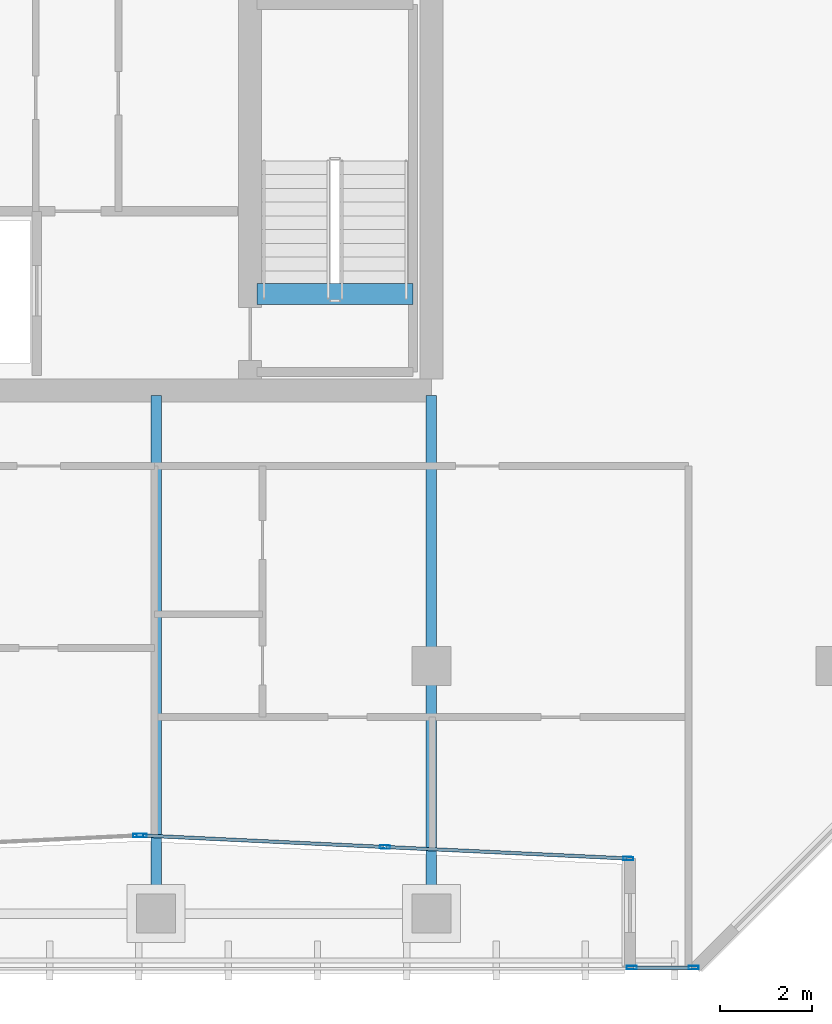
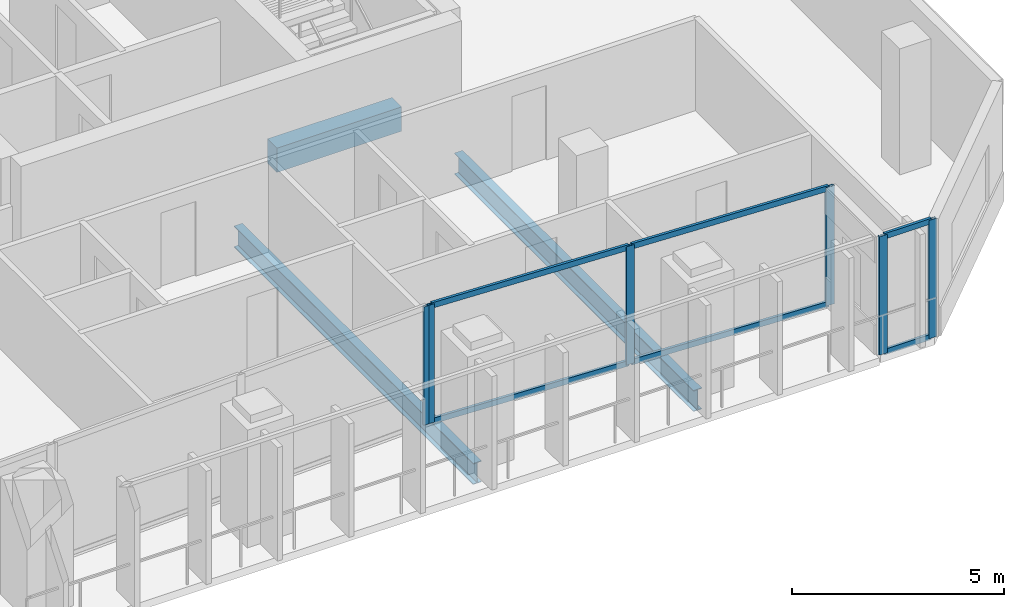
# One storey, part 14 of 28: 12 members, 3 beams, 3 elements without a shape of their own.
"""IFC4 building model written with IfcOpenShell, lengths in metres."""

from ifc_helpers import new_model, si_unit, direction, frame, origin, origin_2d, place, context, subcontext, project, spatial, rectangle, hollow_rectangle, i_section, extrude, material, layer, layer_set, material_profile, profile_set, type_object, element, aggregate, save


model = new_model("IFC4")

# Units and contexts
model_context = context("Model", 3, precision=1e-05, world=origin(), true_north=direction((0.0, 1.0)))
body_context = subcontext(model_context, "Body", "Model", "MODEL_VIEW")
ifc_project = project(units=[si_unit("LENGTHUNIT", "METRE"), si_unit("AREAUNIT", "SQUARE_METRE"), si_unit("VOLUMEUNIT", "CUBIC_METRE"), si_unit("PLANEANGLEUNIT", "RADIAN"), si_unit("MASSUNIT", "GRAM", prefix="KILO")], contexts=[model_context])

# Site, building, storey
site_placement = place(None, origin())
site = spatial("IfcSite", under=ifc_project, at=site_placement, CompositionType="ELEMENT")
building_placement = place(site_placement, origin())
building = spatial("IfcBuilding", under=site, at=building_placement, Name="Tanjung Sevakor Pilgrim Tower", CompositionType="ELEMENT")
storey_placement = place(building_placement, frame((0.0, 0.0, 158.39990234375)))
storey = spatial("IfcBuildingStorey", under=building, at=storey_placement, Name="L44", CompositionType="ELEMENT", Elevation=158.39990234375)

# Beams
ifc_material_1 = material(Name="Steel S355J2", Category="steel")
ifc_material_profile_1 = material_profile(ifc_material_1, i_section(OverallWidth=0.22900390625, OverallDepth=0.6123046875, WebThickness=0.011962890625, FlangeThickness=0.01953125, FilletRadius=0.0126953125, at=origin_2d()))
ifc_profile_set_1 = profile_set([ifc_material_profile_1], Name="Steel S355J2")
beam_type_1 = type_object("IfcBeamType", Name="BM-B-G4-UB_610x229x125", PredefinedType="BEAM", material=ifc_profile_set_1)
for number, where, z_axis, x_axis, name in (
    (1, (84.0, 13.199951171875, -0.526123046875), (0.0, 1.0, 0.0), (-1.0, 0.0, 0.0), "L44 MAIN Girder 025"),
    (2, (90.0, 13.199951171875, -0.526123046875), (0.0, 1.0, 0.0), (-1.0, 0.0, 0.0), "L44 MAIN Girder 027"),
):
    element("IfcBeam", number, at=place(storey_placement, frame(where, z_axis=z_axis, x_axis=x_axis)), inside=storey, type_object=beam_type_1, Name=name, PredefinedType="BEAM", context=body_context, shape_type="SweptSolid", body=[
        extrude(i_section(OverallWidth=0.22900390625, OverallDepth=0.6123046875, WebThickness=0.011962890625, FlangeThickness=0.01953125, FilletRadius=0.0126953125, at=origin_2d()), origin(), (0.0, 0.0, 1.0), 11.284912109375),
    ])
ifc_material_2 = material(Name="Concrete C60/75", Category="concrete")
ifc_material_profile_2 = material_profile(ifc_material_2, rectangle(XDim=0.449951171875, YDim=0.699951171875, at=origin_2d()))
ifc_profile_set_2 = profile_set([ifc_material_profile_2], Name="Concrete C60/75")
beam_type_2 = type_object("IfcBeamType", Name="BM-B-LN3-RC-BM_450x700", PredefinedType="LINTEL", material=ifc_profile_set_2)
beam_placement = place(storey_placement, frame((86.199951171875, 26.699951171875, -0.349853515625), z_axis=(1.0, 0.0, 0.0), x_axis=(0.0, 1.0, 0.0)))
element("IfcBeam", 3, at=beam_placement, inside=storey, type_object=beam_type_2, Name="L44 TS-E1 Stair Threshold Beam", PredefinedType="LINTEL", context=body_context, shape_type="SweptSolid", body=[
    extrude(rectangle(XDim=0.449951171875, YDim=0.699951171875, at=origin_2d()), origin(), (0.0, 0.0, 1.0), 3.400146484375),
])

# Curtain wall, member
ifc_material_3 = material(Name="Aluminium 6063-T6 and Low-E Glass", Category="aluminium")
ifc_layer = layer(ifc_material_3, 0.199951171875)
ifc_layer_set = layer_set([ifc_layer], Name="CW-SYS-PRAY")
curtain_wall_type = type_object("IfcCurtainWallType", Name="CW-SYS-PRAY", PredefinedType="NOTDEFINED", material=ifc_layer_set)
curtain_wall_1_placement = place(storey_placement, origin())
curtain_wall_1 = element("IfcCurtainWall", 4, at=curtain_wall_1_placement, inside=storey, type_object=curtain_wall_type, Name="L44 Curtain Wall CW-PRY-L44-11", PredefinedType="NOTDEFINED")
ifc_material_4 = material(Name="Aluminium 6063-T6", Category="aluminium")
ifc_material_profile_3 = material_profile(ifc_material_4, hollow_rectangle(XDim=0.074951171875, YDim=0.219970703125, WallThickness=0.0048828125, at=origin_2d()))
ifc_profile_set_3 = profile_set([ifc_material_profile_3], Name="Aluminium 6063-T6")
member_type_1 = type_object("IfcMemberType", Name="TYPE-CWM-2", PredefinedType="MULLION", material=ifc_profile_set_3)
member_1_placement = place(storey_placement, frame((83.612548828125, 14.9033203125, 0.0), z_axis=(0.0, 0.0, 1.0), x_axis=(-0.04733271113, 0.998879179109, 0.0)))
member_1 = element("IfcMember", 5, at=member_1_placement, type_object=member_type_1, Name="CW-PRY mullion 3", PredefinedType="MULLION", context=body_context, shape_type="SweptSolid", body=[
    extrude(hollow_rectangle(XDim=0.074951171875, YDim=0.219970703125, WallThickness=0.0048828125, at=origin_2d()), origin(), (0.0, 0.0, 1.0), 3.41015625),
])
aggregate(curtain_wall_1, [member_1])

# Curtain wall, members
curtain_wall_2_placement = place(storey_placement, origin())
curtain_wall_2 = element("IfcCurtainWall", 6, at=curtain_wall_2_placement, inside=storey, type_object=curtain_wall_type, Name="L44 Curtain Wall CW-PRY-L44-12", PredefinedType="NOTDEFINED")
member_2_placement = place(storey_placement, frame((83.6875, 14.9033203125, 0.0), z_axis=(0.0, 0.0, 1.0), x_axis=(0.04733797195, 0.998878929807, 0.0)))
member_2 = element("IfcMember", 7, at=member_2_placement, type_object=member_type_1, Name="CW-PRY mullion 1", PredefinedType="MULLION", context=body_context, shape_type="SweptSolid", body=[
    extrude(hollow_rectangle(XDim=0.074951171875, YDim=0.219970703125, WallThickness=0.0048828125, at=origin_2d()), origin(), (0.0, 0.0, 1.0), 3.41015625),
])
member_3_placement = place(storey_placement, frame((88.987548828125, 14.652099609375, 0.0), z_axis=(0.0, 0.0, 1.0), x_axis=(0.04733797195, 0.998878929807, 0.0)))
member_3 = element("IfcMember", 8, at=member_3_placement, type_object=member_type_1, Name="CW-PRY mullion 2", PredefinedType="MULLION", context=body_context, shape_type="SweptSolid", body=[
    extrude(hollow_rectangle(XDim=0.074951171875, YDim=0.219970703125, WallThickness=0.0048828125, at=origin_2d()), origin(), (0.0, 0.0, 1.0), 3.41015625),
])
member_4_placement = place(storey_placement, frame((94.28759765625, 14.40087890625, 0.0), z_axis=(0.0, 0.0, 1.0), x_axis=(0.04733797195, 0.998878929807, 0.0)))
member_4 = element("IfcMember", 9, at=member_4_placement, type_object=member_type_1, Name="CW-PRY mullion 3", PredefinedType="MULLION", context=body_context, shape_type="SweptSolid", body=[
    extrude(hollow_rectangle(XDim=0.074951171875, YDim=0.219970703125, WallThickness=0.0048828125, at=origin_2d()), origin(), (0.0, 0.0, 1.0), 3.41015625),
])

curtain_wall_3_placement = place(storey_placement, origin())
curtain_wall_3 = element("IfcCurtainWall", 10, at=curtain_wall_3_placement, inside=storey, type_object=curtain_wall_type, Name="L44 Curtain Wall CW-PRY-L44-14", PredefinedType="NOTDEFINED")
member_5_placement = place(storey_placement, frame((94.362548828125, 12.02490234375, 0.0), z_axis=(0.0, 0.0, 1.0), x_axis=(0.0, 1.0, 0.0)))
member_5 = element("IfcMember", 11, at=member_5_placement, type_object=member_type_1, Name="CW-PRY mullion 1", PredefinedType="MULLION", context=body_context, shape_type="SweptSolid", body=[
    extrude(hollow_rectangle(XDim=0.074951171875, YDim=0.219970703125, WallThickness=0.0048828125, at=origin_2d()), origin(), (0.0, 0.0, 1.0), 3.41015625),
])
member_6_placement = place(storey_placement, frame((95.710693359375, 12.02490234375, 0.0), z_axis=(0.0, 0.0, 1.0), x_axis=(0.0, 1.0, 0.0)))
member_6 = element("IfcMember", 12, at=member_6_placement, type_object=member_type_1, Name="CW-PRY mullion 2", PredefinedType="MULLION", context=body_context, shape_type="SweptSolid", body=[
    extrude(hollow_rectangle(XDim=0.074951171875, YDim=0.219970703125, WallThickness=0.0048828125, at=origin_2d()), origin(), (0.0, 0.0, 1.0), 3.41015625),
])

# Member
ifc_material_5 = material(Name="Aluminium 6063-T6", Category="aluminium")
ifc_material_profile_4 = material_profile(ifc_material_5, hollow_rectangle(XDim=0.074951171875, YDim=0.159912109375, WallThickness=0.00439453125, at=origin_2d()))
ifc_profile_set_4 = profile_set([ifc_material_profile_4], Name="Aluminium 6063-T6")
member_type_2 = type_object("IfcMemberType", Name="TYPE-CWT-2", PredefinedType="USERDEFINED", material=ifc_profile_set_4)
member_7_placement = place(storey_placement, frame((83.724853515625, 14.901611328125, 0.03759765625), z_axis=(0.998877305694, -0.047372229945, 0.0), x_axis=(0.047372229945, 0.998877305694, 0.0)))
member_7 = element("IfcMember", 13, at=member_7_placement, type_object=member_type_2, Name="CW-PRY transom 1.1", ObjectType="TRANSOM", PredefinedType="USERDEFINED", context=body_context, shape_type="SweptSolid", body=[
    extrude(hollow_rectangle(XDim=0.074951171875, YDim=0.159912109375, WallThickness=0.00439453125, at=origin_2d()), origin(), (0.0, 0.0, 1.0), 5.23095703125),
])

member_8_placement = place(storey_placement, frame((83.724853515625, 14.901611328125, 3.37255859375), z_axis=(0.998877305694, -0.047372229945, 0.0), x_axis=(0.047372229945, 0.998877305694, 0.0)))
member_8 = element("IfcMember", 14, at=member_8_placement, type_object=member_type_2, Name="CW-PRY transom 1.2", ObjectType="TRANSOM", PredefinedType="USERDEFINED", context=body_context, shape_type="SweptSolid", body=[
    extrude(hollow_rectangle(XDim=0.074951171875, YDim=0.159912109375, WallThickness=0.00439453125, at=origin_2d()), origin(), (0.0, 0.0, 1.0), 5.23095703125),
])

member_9_placement = place(storey_placement, frame((89.02490234375, 14.650390625, 0.03759765625), z_axis=(0.998879513095, -0.047325662381, 0.0), x_axis=(0.047325662381, 0.998879513095, 0.0)))
member_9 = element("IfcMember", 15, at=member_9_placement, type_object=member_type_2, Name="CW-PRY transom 2.1", ObjectType="TRANSOM", PredefinedType="USERDEFINED", context=body_context, shape_type="SweptSolid", body=[
    extrude(hollow_rectangle(XDim=0.074951171875, YDim=0.159912109375, WallThickness=0.00439453125, at=origin_2d()), origin(), (0.0, 0.0, 1.0), 5.23095703125),
])

member_10_placement = place(storey_placement, frame((89.02490234375, 14.650390625, 3.37255859375), z_axis=(0.998879513095, -0.047325662381, 0.0), x_axis=(0.047325662381, 0.998879513095, 0.0)))
member_10 = element("IfcMember", 16, at=member_10_placement, type_object=member_type_2, Name="CW-PRY transom 2.2", ObjectType="TRANSOM", PredefinedType="USERDEFINED", context=body_context, shape_type="SweptSolid", body=[
    extrude(hollow_rectangle(XDim=0.074951171875, YDim=0.159912109375, WallThickness=0.00439453125, at=origin_2d()), origin(), (0.0, 0.0, 1.0), 5.23095703125),
])

aggregate(curtain_wall_2, [member_2, member_3, member_4, member_7, member_8, member_9, member_10])

member_11_placement = place(storey_placement, frame((94.39990234375, 12.02490234375, 0.03759765625), z_axis=(1.0, 0.0, 0.0), x_axis=(0.0, 1.0, 0.0)))
member_11 = element("IfcMember", 17, at=member_11_placement, type_object=member_type_2, Name="CW-PRY transom 1.1", ObjectType="TRANSOM", PredefinedType="USERDEFINED", context=body_context, shape_type="SweptSolid", body=[
    extrude(hollow_rectangle(XDim=0.074951171875, YDim=0.159912109375, WallThickness=0.00439453125, at=origin_2d()), origin(), (0.0, 0.0, 1.0), 1.273193359375),
])

member_12_placement = place(storey_placement, frame((94.39990234375, 12.02490234375, 3.37255859375), z_axis=(1.0, 0.0, 0.0), x_axis=(0.0, 1.0, 0.0)))
member_12 = element("IfcMember", 18, at=member_12_placement, type_object=member_type_2, Name="CW-PRY transom 1.2", ObjectType="TRANSOM", PredefinedType="USERDEFINED", context=body_context, shape_type="SweptSolid", body=[
    extrude(hollow_rectangle(XDim=0.074951171875, YDim=0.159912109375, WallThickness=0.00439453125, at=origin_2d()), origin(), (0.0, 0.0, 1.0), 1.273193359375),
])

aggregate(curtain_wall_3, [member_5, member_6, member_11, member_12])

save(model, "model.ifc")
